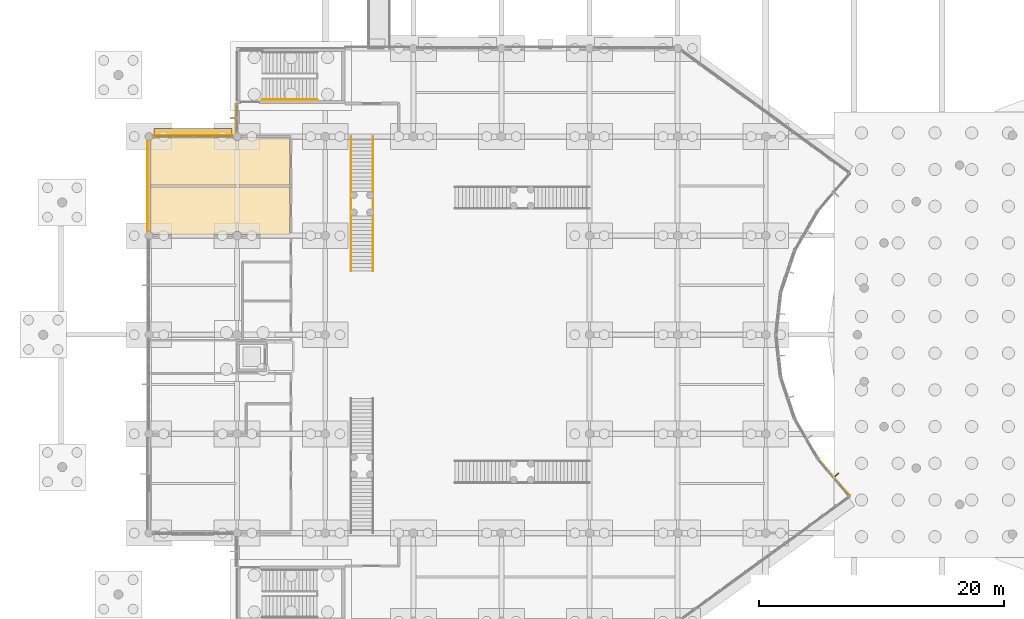
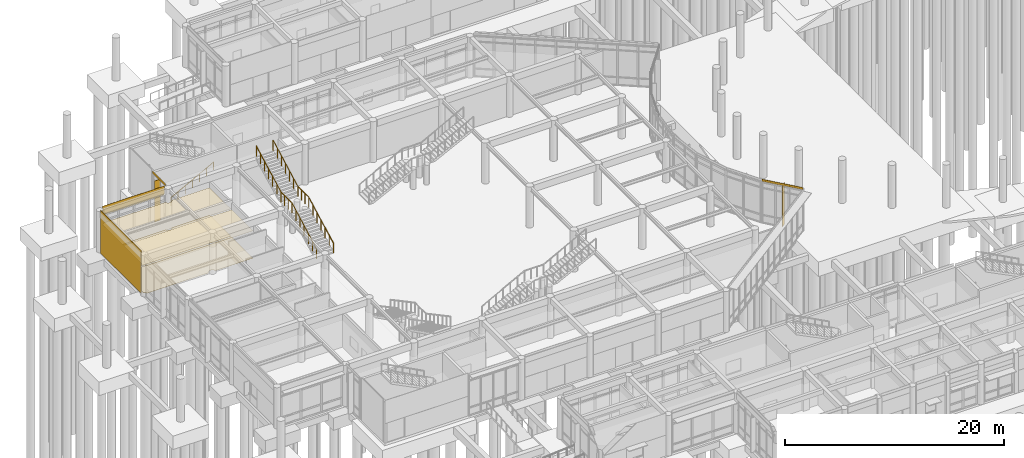
# One storey, part 87 of 103: 8 coverings, 3 railings, 3 shading devices.
"""IFC4 building model written with IfcOpenShell, lengths in metres."""

from ifc_helpers import new_model, si_unit, direction, frame, origin, origin_2d, place, context, subcontext, project, spatial, polyline, rectangle, circle, outline, extrude, material, layer, layer_set, type_object, element, save


model = new_model("IFC4")

# Units and contexts
model_context = context("Model", 3, precision=1e-05, world=origin(), true_north=direction((0.0, 1.0)))
body_context = subcontext(model_context, "Body", "Model", "MODEL_VIEW")
ifc_project = project(units=[si_unit("LENGTHUNIT", "METRE"), si_unit("AREAUNIT", "SQUARE_METRE"), si_unit("VOLUMEUNIT", "CUBIC_METRE"), si_unit("PLANEANGLEUNIT", "RADIAN"), si_unit("MASSUNIT", "GRAM", prefix="KILO")], contexts=[model_context])

# Site, building, storey
site_placement = place(None, origin())
site = spatial("IfcSite", under=ifc_project, at=site_placement, CompositionType="ELEMENT")
building_placement = place(site_placement, origin())
building = spatial("IfcBuilding", under=site, at=building_placement, Name="Namkhue Oval Health Centre", CompositionType="ELEMENT")
storey_placement = place(building_placement, origin())
storey = spatial("IfcBuildingStorey", under=building, at=storey_placement, Name="L00", CompositionType="ELEMENT", Elevation=0.0)

# Coverings
ifc_material_1 = material(Name="Acoustic mineral-fibre cleanroom ceiling", Category="gypsum")
ifc_layer_1 = layer(ifc_material_1, 0.02001953125)
ifc_layer_set_1 = layer_set([ifc_layer_1], Name="Acoustic mineral-fibre cleanroom ceiling")
covering_type_1 = type_object("IfcCoveringType", Name="ACOUSTIC CLEANROOM CEILING 20", PredefinedType="CEILING", material=ifc_layer_set_1)
covering_1_placement = place(storey_placement, frame((0.0, 0.0, 3.050048828125)))
element("IfcCovering", 1, at=covering_1_placement, inside=storey, type_object=covering_type_1, Name="Acoustic Ceiling L00-107 Fire Control Room", PredefinedType="CEILING", context=body_context, shape_type="SweptSolid", body=[
    extrude(outline(polyline([(21.949462890625, 67.580078125), (21.94775390625, 67.59326171875), (21.911865234375, 67.679931640625), (21.8544921875, 67.754638671875), (21.780029296875, 67.811767578125), (21.693115234375, 67.84765625), (21.60009765625, 67.860107421875), (21.5068359375, 67.84765625), (21.419921875, 67.811767578125), (21.345458984375, 67.754638671875), (21.2880859375, 67.679931640625), (21.252197265625, 67.59326171875), (21.25048828125, 67.580078125), (14.724609375, 67.580078125), (14.690185546875, 67.66748046875), (14.636962890625, 67.73681640625), (14.5673828125, 67.7900390625), (14.485107421875, 67.82373046875), (14.485107421875, 71.469970703125), (25.919921875, 71.469970703125), (25.919921875, 67.580078125), (21.949462890625, 67.580078125)])), origin(), (0.0, 0.0, 1.0), 0.02001953125),
])
covering_2_placement = place(storey_placement, frame((0.0, 0.0, 3.050048828125)))
element("IfcCovering", 2, at=covering_2_placement, inside=storey, type_object=covering_type_1, Name="Acoustic Ceiling L00-108 Main Electrical Plant Room", PredefinedType="CEILING", context=body_context, shape_type="SweptSolid", body=[
    extrude(outline(polyline([(14.485107421875, 71.6298828125), (14.485107421875, 75.276123046875), (14.5673828125, 75.309814453125), (14.636962890625, 75.363037109375), (14.690185546875, 75.4326171875), (14.723876953125, 75.514892578125), (21.276123046875, 75.514892578125), (21.309814453125, 75.4326171875), (21.363037109375, 75.363037109375), (21.4326171875, 75.309814453125), (21.51318359375, 75.2763671875), (21.60009765625, 75.264892578125), (21.686767578125, 75.2763671875), (21.767578125, 75.309814453125), (21.8369140625, 75.363037109375), (21.89013671875, 75.4326171875), (21.924560546875, 75.52001953125), (25.919921875, 75.52001953125), (25.919921875, 71.6298828125), (14.485107421875, 71.6298828125)])), origin(), (0.0, 0.0, 1.0), 0.02001953125),
])
ifc_material_2 = material(Name="Homogeneous anti-bacterial clinical vinyl flooring", Category="plastic")
ifc_layer_2 = layer(ifc_material_2, 0.014892578125)
ifc_layer_set_2 = layer_set([ifc_layer_2], Name="Homogeneous anti-bacterial clinical vinyl flooring")
covering_type_2 = type_object("IfcCoveringType", Name="CLINICAL ANTIBACTERIAL VINYL FLOORING 15", PredefinedType="FLOORING", material=ifc_layer_set_2)
covering_3_placement = place(storey_placement, origin())
element("IfcCovering", 3, at=covering_3_placement, inside=storey, type_object=covering_type_2, Name="Clinical Flooring L00-107 Fire Control Room", PredefinedType="FLOORING", context=body_context, shape_type="SweptSolid", body=[
    extrude(outline(polyline([(21.949462890625, 67.580078125), (21.94775390625, 67.59326171875), (21.911865234375, 67.679931640625), (21.8544921875, 67.754638671875), (21.780029296875, 67.811767578125), (21.693115234375, 67.84765625), (21.60009765625, 67.860107421875), (21.5068359375, 67.84765625), (21.419921875, 67.811767578125), (21.345458984375, 67.754638671875), (21.2880859375, 67.679931640625), (21.252197265625, 67.59326171875), (21.25048828125, 67.580078125), (14.724609375, 67.580078125), (14.690185546875, 67.66748046875), (14.636962890625, 67.73681640625), (14.5673828125, 67.7900390625), (14.485107421875, 67.82373046875), (14.485107421875, 71.469970703125), (25.919921875, 71.469970703125), (25.919921875, 67.580078125), (21.949462890625, 67.580078125)])), origin(), (0.0, 0.0, 1.0), 0.014892578125),
])
covering_4_placement = place(storey_placement, origin())
element("IfcCovering", 4, at=covering_4_placement, inside=storey, type_object=covering_type_2, Name="Clinical Flooring L00-108 Main Electrical Plant Room", PredefinedType="FLOORING", context=body_context, shape_type="SweptSolid", body=[
    extrude(outline(polyline([(14.485107421875, 71.6298828125), (14.485107421875, 75.276123046875), (14.5673828125, 75.309814453125), (14.636962890625, 75.363037109375), (14.690185546875, 75.4326171875), (14.723876953125, 75.514892578125), (21.276123046875, 75.514892578125), (21.309814453125, 75.4326171875), (21.363037109375, 75.363037109375), (21.4326171875, 75.309814453125), (21.51318359375, 75.2763671875), (21.60009765625, 75.264892578125), (21.686767578125, 75.2763671875), (21.767578125, 75.309814453125), (21.8369140625, 75.363037109375), (21.89013671875, 75.4326171875), (21.924560546875, 75.52001953125), (25.919921875, 75.52001953125), (25.919921875, 71.6298828125), (14.485107421875, 71.6298828125)])), origin(), (0.0, 0.0, 1.0), 0.014892578125),
])

# Railings
ifc_material_3 = material(Name="Brushed stainless steel 316L balustrade with laminated glass infill", Category="steel")
railing_type_1 = type_object("IfcRailingType", Name="INTERIOR BALUSTRADE GUARD 1150", PredefinedType="BALUSTRADE", material=ifc_material_3)
railing_1_placement = place(storey_placement, frame((30.909912109375, 64.60498046875, 0.0)))
element("IfcRailing", 5, at=railing_1_placement, inside=storey, type_object=railing_type_1, Name="Waiting Hall North Gallery Feature Stair Balustrade Guard L", PredefinedType="BALUSTRADE", context=body_context, shape_type="SweptSolid", body=[
    extrude(circle(Radius=0.02392578125, at=origin_2d()), frame((0.0, 0.0, 1.1259765625), z_axis=(0.0, 0.882148612025, 0.470971152303), x_axis=(-1.0, 0.0, 0.0)), (0.0, 0.0, 1.0), 5.095703125),
    extrude(circle(Radius=0.02392578125, at=origin_2d()), frame((0.0, 4.4951171875, 3.52587890625), z_axis=(0.0, 1.0, 0.0), x_axis=(-1.0, 0.0, 0.0)), (0.0, 0.0, 1.0), 2.010009765625),
    extrude(circle(Radius=0.02392578125, at=origin_2d()), frame((0.0, 6.505126953125, 3.52587890625), z_axis=(0.0, 0.882118076439, 0.471028342267), x_axis=(-1.0, 0.0, 0.0)), (0.0, 0.0, 1.0), 5.095458984375),
    extrude(circle(Radius=0.02099609375, at=origin_2d()), origin(), (0.0, 0.0, 1.0), 1.101806640625),
    extrude(circle(Radius=0.02099609375, at=origin_2d()), frame((0.0, 0.749267578125, 0.39990234375)), (0.0, 0.0, 1.0), 1.101806640625),
    extrude(circle(Radius=0.02099609375, at=origin_2d()), frame((0.0, 1.498291015625, 0.800048828125)), (0.0, 0.0, 1.0), 1.101806640625),
    extrude(circle(Radius=0.02099609375, at=origin_2d()), frame((0.0, 2.24755859375, 1.199951171875)), (0.0, 0.0, 1.0), 1.101806640625),
    extrude(circle(Radius=0.02099609375, at=origin_2d()), frame((0.0, 2.996826171875, 1.599853515625)), (0.0, 0.0, 1.0), 1.101806640625),
    extrude(circle(Radius=0.02099609375, at=origin_2d()), frame((0.0, 3.745849609375, 2.0)), (0.0, 0.0, 1.0), 1.101806640625),
    extrude(circle(Radius=0.02099609375, at=origin_2d()), frame((0.0, 4.4951171875, 2.39990234375)), (0.0, 0.0, 1.0), 1.101806640625),
    extrude(circle(Radius=0.02099609375, at=origin_2d()), frame((0.0, 5.1650390625, 2.39990234375)), (0.0, 0.0, 1.0), 1.101806640625),
    extrude(circle(Radius=0.02099609375, at=origin_2d()), frame((0.0, 5.835205078125, 2.39990234375)), (0.0, 0.0, 1.0), 1.101806640625),
    extrude(circle(Radius=0.02099609375, at=origin_2d()), frame((0.0, 6.505126953125, 2.39990234375)), (0.0, 0.0, 1.0), 1.101806640625),
    extrude(circle(Radius=0.02099609375, at=origin_2d()), frame((0.0, 7.25439453125, 2.7998046875)), (0.0, 0.0, 1.0), 1.101806640625),
    extrude(circle(Radius=0.02099609375, at=origin_2d()), frame((0.0, 8.00341796875, 3.199951171875)), (0.0, 0.0, 1.0), 1.101806640625),
    extrude(circle(Radius=0.02099609375, at=origin_2d()), frame((0.0, 8.75244140625, 3.60009765625)), (0.0, 0.0, 1.0), 1.101806640625),
    extrude(circle(Radius=0.02099609375, at=origin_2d()), frame((0.0, 9.501708984375, 4.0)), (0.0, 0.0, 1.0), 1.101806640625),
    extrude(circle(Radius=0.02099609375, at=origin_2d()), frame((0.0, 10.2509765625, 4.39990234375)), (0.0, 0.0, 1.0), 1.101806640625),
    extrude(circle(Radius=0.02099609375, at=origin_2d()), frame((0.0, 11.0, 4.800048828125)), (0.0, 0.0, 1.0), 1.101806640625),
])
railing_2_placement = place(storey_placement, frame((32.68994140625, 64.60498046875, 0.0)))
element("IfcRailing", 6, at=railing_2_placement, inside=storey, type_object=railing_type_1, Name="Waiting Hall North Gallery Feature Stair Balustrade Guard R", PredefinedType="BALUSTRADE", context=body_context, shape_type="SweptSolid", body=[
    extrude(circle(Radius=0.02392578125, at=origin_2d()), frame((0.0, 0.0, 1.1259765625), z_axis=(0.0, 0.882148612025, 0.470971152303), x_axis=(-1.0, 0.0, 0.0)), (0.0, 0.0, 1.0), 5.095703125),
    extrude(circle(Radius=0.02392578125, at=origin_2d()), frame((0.0, 4.4951171875, 3.52587890625), z_axis=(0.0, 1.0, 0.0), x_axis=(-1.0, 0.0, 0.0)), (0.0, 0.0, 1.0), 2.010009765625),
    extrude(circle(Radius=0.02392578125, at=origin_2d()), frame((0.0, 6.505126953125, 3.52587890625), z_axis=(0.0, 0.882118076439, 0.471028342267), x_axis=(-1.0, 0.0, 0.0)), (0.0, 0.0, 1.0), 5.095458984375),
    extrude(circle(Radius=0.02099609375, at=origin_2d()), origin(), (0.0, 0.0, 1.0), 1.101806640625),
    extrude(circle(Radius=0.02099609375, at=origin_2d()), frame((0.0, 0.749267578125, 0.39990234375)), (0.0, 0.0, 1.0), 1.101806640625),
    extrude(circle(Radius=0.02099609375, at=origin_2d()), frame((0.0, 1.498291015625, 0.800048828125)), (0.0, 0.0, 1.0), 1.101806640625),
    extrude(circle(Radius=0.02099609375, at=origin_2d()), frame((0.0, 2.24755859375, 1.199951171875)), (0.0, 0.0, 1.0), 1.101806640625),
    extrude(circle(Radius=0.02099609375, at=origin_2d()), frame((0.0, 2.996826171875, 1.599853515625)), (0.0, 0.0, 1.0), 1.101806640625),
    extrude(circle(Radius=0.02099609375, at=origin_2d()), frame((0.0, 3.745849609375, 2.0)), (0.0, 0.0, 1.0), 1.101806640625),
    extrude(circle(Radius=0.02099609375, at=origin_2d()), frame((0.0, 4.4951171875, 2.39990234375)), (0.0, 0.0, 1.0), 1.101806640625),
    extrude(circle(Radius=0.02099609375, at=origin_2d()), frame((0.0, 5.1650390625, 2.39990234375)), (0.0, 0.0, 1.0), 1.101806640625),
    extrude(circle(Radius=0.02099609375, at=origin_2d()), frame((0.0, 5.835205078125, 2.39990234375)), (0.0, 0.0, 1.0), 1.101806640625),
    extrude(circle(Radius=0.02099609375, at=origin_2d()), frame((0.0, 6.505126953125, 2.39990234375)), (0.0, 0.0, 1.0), 1.101806640625),
    extrude(circle(Radius=0.02099609375, at=origin_2d()), frame((0.0, 7.25439453125, 2.7998046875)), (0.0, 0.0, 1.0), 1.101806640625),
    extrude(circle(Radius=0.02099609375, at=origin_2d()), frame((0.0, 8.00341796875, 3.199951171875)), (0.0, 0.0, 1.0), 1.101806640625),
    extrude(circle(Radius=0.02099609375, at=origin_2d()), frame((0.0, 8.75244140625, 3.60009765625)), (0.0, 0.0, 1.0), 1.101806640625),
    extrude(circle(Radius=0.02099609375, at=origin_2d()), frame((0.0, 9.501708984375, 4.0)), (0.0, 0.0, 1.0), 1.101806640625),
    extrude(circle(Radius=0.02099609375, at=origin_2d()), frame((0.0, 10.2509765625, 4.39990234375)), (0.0, 0.0, 1.0), 1.101806640625),
    extrude(circle(Radius=0.02099609375, at=origin_2d()), frame((0.0, 11.0, 4.800048828125)), (0.0, 0.0, 1.0), 1.101806640625),
])
ifc_material_4 = material(Name="Brushed stainless steel 304 tubular handrail", Category="steel")
railing_type_2 = type_object("IfcRailingType", Name="INTERIOR STAIR HANDRAIL 900", PredefinedType="HANDRAIL", material=ifc_material_4)
railing_3_placement = place(storey_placement, frame((23.64990234375, 78.6201171875, 0.0)))
element("IfcRailing", 7, at=railing_3_placement, inside=storey, type_object=railing_type_2, Name="Stair ST-02 L00 Flight 1 Handrail", PredefinedType="HANDRAIL", context=body_context, shape_type="SweptSolid", body=[
    extrude(circle(Radius=0.02392578125, at=origin_2d()), frame((0.0, 0.0, 0.8759765625), z_axis=(0.882360891967, 0.0, 0.470573327259), x_axis=(0.0, 1.0, 0.0)), (0.0, 0.0, 1.0), 5.099853515625),
    extrude(circle(Radius=0.02099609375, at=origin_2d()), origin(), (0.0, 0.0, 1.0), 0.851806640625),
    extrude(circle(Radius=0.02099609375, at=origin_2d()), frame((0.75, 0.0, 0.39990234375)), (0.0, 0.0, 1.0), 0.851806640625),
    extrude(circle(Radius=0.02099609375, at=origin_2d()), frame((1.5, 0.0, 0.800048828125)), (0.0, 0.0, 1.0), 0.851806640625),
    extrude(circle(Radius=0.02099609375, at=origin_2d()), frame((2.25, 0.0, 1.199951171875)), (0.0, 0.0, 1.0), 0.851806640625),
    extrude(circle(Radius=0.02099609375, at=origin_2d()), frame((3.0, 0.0, 1.599853515625)), (0.0, 0.0, 1.0), 0.851806640625),
    extrude(circle(Radius=0.02099609375, at=origin_2d()), frame((3.75, 0.0, 2.0)), (0.0, 0.0, 1.0), 0.851806640625),
    extrude(circle(Radius=0.02099609375, at=origin_2d()), frame((4.5, 0.0, 2.39990234375)), (0.0, 0.0, 1.0), 0.851806640625),
])

# Shading devices
ifc_material_5 = material(Name="Anodised aluminium EN AW-6063 T6", Category="aluminium")
ifc_layer_3 = layer(ifc_material_5, 0.050048828125)
ifc_layer_set_3 = layer_set([ifc_layer_3], Name="Anodised aluminium EN AW-6063 T6")
shading_device_type_1 = type_object("IfcShadingDeviceType", Name="STORM SHUTTER LOUVRE 650", PredefinedType="SHUTTER", material=ifc_layer_set_3)
shading_device_placement = place(storey_placement, frame((18.0, 75.925048828125, 3.869873046875), z_axis=(0.0, 0.0, 1.0), x_axis=(-1.0, 0.0, 0.0)))
element("IfcShadingDevice", 8, at=shading_device_placement, inside=storey, type_object=shading_device_type_1, Name="Volume V1 L00 Horizontal Monsoon Sun Louvre 17", PredefinedType="SHUTTER", context=body_context, shape_type="SweptSolid", body=[
    extrude(rectangle(XDim=6.360107421875, YDim=0.64990234375, at=origin_2d()), origin(), (0.0, 0.0, 1.0), 0.06005859375),
])
shading_device_type_2 = type_object("IfcShadingDeviceType", Name="VERTICAL SOLAR FIN 600", PredefinedType="USERDEFINED", material=ifc_material_5)
for number, where, z_axis, x_axis, name in (
    (9, (70.521484375, 47.89013671875, 0.0), (0.0, 0.0, 1.0), (0.760972426325, 0.648784221735, 0.0), "Volume V1 L00 Extruded Aluminium Solar Fin 3"),
    (10, (21.340087890625, 77.10888671875, 0.0), (0.0, 0.0, 1.0), (-1.0, 0.0, 0.0), "Volume V1 L00 Extruded Aluminium Solar Fin 16"),
):
    element("IfcShadingDevice", number, at=place(storey_placement, frame(where, z_axis=z_axis, x_axis=x_axis)), inside=storey, type_object=shading_device_type_2, Name=name, ObjectType="SOLAR FIN", PredefinedType="USERDEFINED", context=body_context, shape_type="SweptSolid", body=[
        extrude(rectangle(XDim=0.60009765625, YDim=0.06005859375, at=origin_2d()), origin(), (0.0, 0.0, 1.0), 4.56494140625),
    ])

# Coverings
ifc_material_6 = material(Name="White glass-fibre reinforced concrete GRC rainscreen cladding", Category="concrete")
ifc_layer_4 = layer(ifc_material_6, 0.02490234375)
ifc_layer_set_4 = layer_set([ifc_layer_4], Name="White glass-fibre reinforced concrete GRC rainscreen cladding")
covering_type_3 = type_object("IfcCoveringType", Name="WHITE GRC RAINSCREEN CLADDING 25", PredefinedType="CLADDING", material=ifc_layer_set_4)
covering_5_placement = place(storey_placement, frame((70.390869140625, 47.77880859375, 4.550048828125), z_axis=(0.0, 0.0, 1.0), x_axis=(-0.648784221735, 0.760972426325, 0.0)))
element("IfcCovering", 11, at=covering_5_placement, inside=storey, type_object=covering_type_3, Name="Volume V1 L00 Curtain Wall Spandrel Cladding 3", PredefinedType="CLADDING", context=body_context, shape_type="SweptSolid", body=[
    extrude(rectangle(XDim=3.980712890625, YDim=0.02490234375, at=origin_2d()), origin(), (0.0, 0.0, 1.0), 0.25),
])
covering_6_placement = place(storey_placement, frame((21.511474609375, 77.10888671875, 4.550048828125), z_axis=(0.0, 0.0, 1.0), x_axis=(0.0, -1.0, 0.0)))
element("IfcCovering", 12, at=covering_6_placement, inside=storey, type_object=covering_type_3, Name="Volume V1 L00 Curtain Wall Spandrel Cladding 14", PredefinedType="CLADDING", context=body_context, shape_type="SweptSolid", body=[
    extrude(rectangle(XDim=2.367919921875, YDim=0.02490234375, at=origin_2d()), origin(), (0.0, 0.0, 1.0), 0.25),
])
covering_7_placement = place(storey_placement, frame((18.0, 75.6884765625, 3.925048828125), z_axis=(0.0, 0.0, 1.0), x_axis=(-1.0, 0.0, 0.0)))
element("IfcCovering", 13, at=covering_7_placement, inside=storey, type_object=covering_type_3, Name="Volume V1 L00 Curtain Wall Spandrel Cladding 15", PredefinedType="CLADDING", context=body_context, shape_type="SweptSolid", body=[
    extrude(rectangle(XDim=6.550048828125, YDim=0.02490234375, at=origin_2d()), origin(), (0.0, 0.0, 1.0), 0.875),
])
covering_8_placement = place(storey_placement, frame((14.27294921875, 71.550048828125, 0.009765625), z_axis=(0.0, 0.0, 1.0), x_axis=(0.0, -1.0, 0.0)))
element("IfcCovering", 14, at=covering_8_placement, inside=storey, type_object=covering_type_3, Name="Volume V1 L00 Facade 6 White GRC Cladding 1", PredefinedType="CLADDING", context=body_context, shape_type="SweptSolid", body=[
    extrude(rectangle(XDim=7.419921875, YDim=0.02490234375, at=origin_2d()), origin(), (0.0, 0.0, 1.0), 4.780029296875),
])

save(model, "model.ifc")
